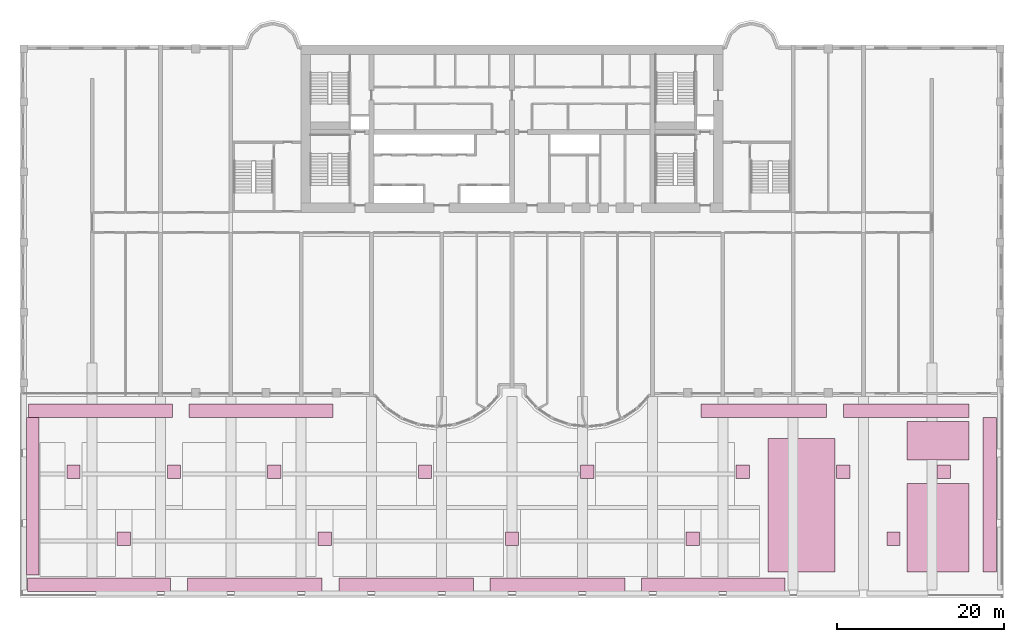
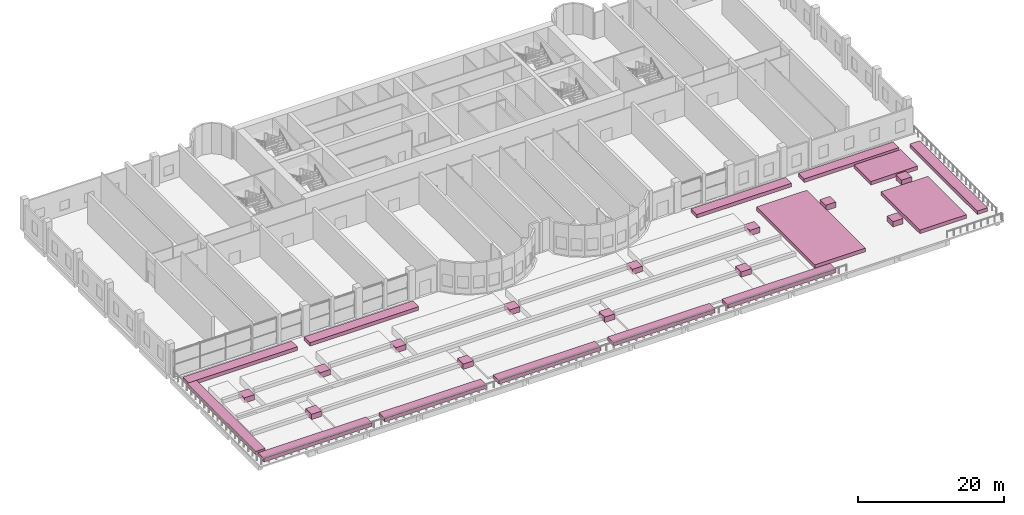
# One storey, part 20 of 20: 27 furniture elements.
"""IFC4 building model written with IfcOpenShell, lengths in metres."""

from ifc_helpers import new_model, si_unit, direction, frame, origin, origin_2d, place, context, subcontext, project, spatial, rectangle, extrude, source, transform, mapped, material, type_object, element, save


model = new_model("IFC4")

# Units and contexts
model_context = context("Model", 3, precision=1e-05, world=origin(), true_north=direction((0.0, 1.0)))
body_context = subcontext(model_context, "Body", "Model", "MODEL_VIEW")
ifc_project = project(units=[si_unit("LENGTHUNIT", "METRE"), si_unit("AREAUNIT", "SQUARE_METRE"), si_unit("VOLUMEUNIT", "CUBIC_METRE"), si_unit("PLANEANGLEUNIT", "RADIAN"), si_unit("MASSUNIT", "GRAM", prefix="KILO")], contexts=[model_context])

# Site, building, storey
site_placement = place(None, origin())
site = spatial("IfcSite", under=ifc_project, at=site_placement, CompositionType="ELEMENT")
building_placement = place(site_placement, origin())
building = spatial("IfcBuilding", under=site, at=building_placement, Name="Vanashikhar Sky Hotel", CompositionType="ELEMENT")
storey_placement = place(building_placement, frame((0.0, 0.0, 6.0)))
storey = spatial("IfcBuildingStorey", under=building, at=storey_placement, Name="L01", CompositionType="ELEMENT", Elevation=6.0)

# Furniture
ifc_material_1 = material(Name="Planting soil and trees")
furniture_type_1 = type_object("IfcFurnitureType", Name="Tree planter 1600 x 1600", AssemblyPlace="NOTDEFINED", PredefinedType="USERDEFINED", material=ifc_material_1)
shared_shape_1 = source(origin(), body_context, "Body", "SweptSolid", [
    extrude(rectangle(XDim=1.60009765625, YDim=1.60009765625, at=origin_2d()), origin(), (0.0, 0.0, 1.0), 0.89990234375),
])
for number, where, z_axis, x_axis, name in (
    (1, (-2.0, -9.0, 0.0), (0.0, 0.0, 1.0), (1.0, 0.0, 0.0), "PLANTER with tree"),
    (2, (10.0, -9.0, 0.0), (0.0, 0.0, 1.0), (1.0, 0.0, 0.0), "PLANTER with tree"),
    (3, (22.0, -9.0, 0.0), (0.0, 0.0, 1.0), (1.0, 0.0, 0.0), "PLANTER with tree"),
    (4, (40.0, -9.0, 0.0), (0.0, 0.0, 1.0), (1.0, 0.0, 0.0), "PLANTER with tree"),
    (5, (59.39990234375, -9.0, 0.0), (0.0, 0.0, 1.0), (1.0, 0.0, 0.0), "PLANTER with tree"),
    (6, (78.0, -9.0, 0.0), (0.0, 0.0, 1.0), (1.0, 0.0, 0.0), "PLANTER with tree"),
    (7, (90.0, -9.0, 0.0), (0.0, 0.0, 1.0), (1.0, 0.0, 0.0), "PLANTER with tree"),
    (8, (102.0, -9.0, 0.0), (0.0, 0.0, 1.0), (1.0, 0.0, 0.0), "PLANTER with tree"),
    (9, (4.0, -17.0, 0.0), (0.0, 0.0, 1.0), (1.0, 0.0, 0.0), "PLANTER with tree"),
    (10, (28.0, -17.0, 0.0), (0.0, 0.0, 1.0), (1.0, 0.0, 0.0), "PLANTER with tree"),
    (11, (50.39990234375, -17.0, 0.0), (0.0, 0.0, 1.0), (1.0, 0.0, 0.0), "PLANTER with tree"),
    (12, (72.0, -17.0, 0.0), (0.0, 0.0, 1.0), (1.0, 0.0, 0.0), "PLANTER with tree"),
    (13, (96.0, -17.0, 0.0), (0.0, 0.0, 1.0), (1.0, 0.0, 0.0), "PLANTER with tree"),
):
    element("IfcFurniture", number, at=place(storey_placement, frame(where, z_axis=z_axis, x_axis=x_axis)), inside=storey, type_object=furniture_type_1, Name=name, ObjectType="PLANTER", PredefinedType="USERDEFINED", context=body_context, shape_type="MappedRepresentation", body=[
        mapped(shared_shape_1, transform((0.0, 0.0, 0.0), scale=1.0)),
    ])
ifc_material_2 = material(Name="Planting soil")
furniture_type_2 = type_object("IfcFurnitureType", Name="Planting bed 600", AssemblyPlace="NOTDEFINED", PredefinedType="USERDEFINED", material=ifc_material_2)
shared_shape_2 = source(origin(), body_context, "Body", "SweptSolid", [
    extrude(rectangle(XDim=17.10009765625, YDim=1.60009765625, at=origin_2d()), origin(), (0.0, 0.0, 1.0), 0.60009765625),
])
for number, where, z_axis, x_axis, name in (
    (14, (1.050048828125, -22.5, 0.0), (0.0, 0.0, 1.0), (1.0, 0.0, 0.0), "PLANTER bed"),
    (15, (74.449951171875, -22.5, 0.0), (0.0, 0.0, 1.0), (1.0, 0.0, 0.0), "PLANTER bed"),
):
    element("IfcFurniture", number, at=place(storey_placement, frame(where, z_axis=z_axis, x_axis=x_axis)), inside=storey, type_object=furniture_type_2, Name=name, ObjectType="PLANTER", PredefinedType="USERDEFINED", context=body_context, shape_type="MappedRepresentation", body=[
        mapped(shared_shape_2, transform((0.0, 0.0, 0.0), scale=1.0)),
    ])
shared_shape_3 = source(origin(), body_context, "Body", "SweptSolid", [
    extrude(rectangle(XDim=16.10009765625, YDim=1.60009765625, at=origin_2d()), origin(), (0.0, 0.0, 1.0), 0.60009765625),
])
for number, where, z_axis, x_axis, name in (
    (16, (19.64990234375, -22.5, 0.0), (0.0, 0.0, 1.0), (1.0, 0.0, 0.0), "PLANTER bed"),
    (17, (37.75, -22.5, 0.0), (0.0, 0.0, 1.0), (1.0, 0.0, 0.0), "PLANTER bed"),
    (18, (55.85009765625, -22.5, 0.0), (0.0, 0.0, 1.0), (1.0, 0.0, 0.0), "PLANTER bed"),
):
    element("IfcFurniture", number, at=place(storey_placement, frame(where, z_axis=z_axis, x_axis=x_axis)), inside=storey, type_object=furniture_type_2, Name=name, ObjectType="PLANTER", PredefinedType="USERDEFINED", context=body_context, shape_type="MappedRepresentation", body=[
        mapped(shared_shape_3, transform((0.0, 0.0, 0.0), scale=1.0)),
    ])
shared_shape_4 = source(origin(), body_context, "Body", "SweptSolid", [
    extrude(rectangle(XDim=1.5, YDim=18.800048828125, at=origin_2d()), origin(), (0.0, 0.0, 1.0), 0.60009765625),
])
furniture_1_placement = place(storey_placement, frame((-6.89990234375, -11.89990234375, 0.0), z_axis=(0.0, 0.0, 1.0), x_axis=(1.0, 0.0, 0.0)))
element("IfcFurniture", 19, at=furniture_1_placement, inside=storey, type_object=furniture_type_2, Name="PLANTER bed", ObjectType="PLANTER", PredefinedType="USERDEFINED", context=body_context, shape_type="MappedRepresentation", body=[
    mapped(shared_shape_4, transform((0.0, 0.0, 0.0), scale=1.0)),
])
shared_shape_5 = source(origin(), body_context, "Body", "SweptSolid", [
    extrude(rectangle(XDim=17.199951171875, YDim=1.60009765625, at=origin_2d()), origin(), (0.0, 0.0, 1.0), 0.60009765625),
])
for number, where, z_axis, x_axis, name in (
    (20, (1.199951171875, -1.699951171875, 0.0), (0.0, 0.0, 1.0), (1.0, 0.0, 0.0), "PLANTER bed"),
    (21, (20.39990234375, -1.699951171875, 0.0), (0.0, 0.0, 1.0), (1.0, 0.0, 0.0), "PLANTER bed"),
):
    element("IfcFurniture", number, at=place(storey_placement, frame(where, z_axis=z_axis, x_axis=x_axis)), inside=storey, type_object=furniture_type_2, Name=name, ObjectType="PLANTER", PredefinedType="USERDEFINED", context=body_context, shape_type="MappedRepresentation", body=[
        mapped(shared_shape_5, transform((0.0, 0.0, 0.0), scale=1.0)),
    ])
shared_shape_6 = source(origin(), body_context, "Body", "SweptSolid", [
    extrude(rectangle(XDim=15.0, YDim=1.60009765625, at=origin_2d()), origin(), (0.0, 0.0, 1.0), 0.60009765625),
])
for number, where, z_axis, x_axis, name in (
    (22, (80.5, -1.699951171875, 0.0), (0.0, 0.0, 1.0), (1.0, 0.0, 0.0), "PLANTER bed"),
    (23, (97.5, -1.699951171875, 0.0), (0.0, 0.0, 1.0), (1.0, 0.0, 0.0), "PLANTER bed"),
):
    element("IfcFurniture", number, at=place(storey_placement, frame(where, z_axis=z_axis, x_axis=x_axis)), inside=storey, type_object=furniture_type_2, Name=name, ObjectType="PLANTER", PredefinedType="USERDEFINED", context=body_context, shape_type="MappedRepresentation", body=[
        mapped(shared_shape_6, transform((0.0, 0.0, 0.0), scale=1.0)),
    ])
shared_shape_7 = source(origin(), body_context, "Body", "SweptSolid", [
    extrude(rectangle(XDim=1.60009765625, YDim=18.5, at=origin_2d()), origin(), (0.0, 0.0, 1.0), 0.60009765625),
])
furniture_2_placement = place(storey_placement, frame((107.5, -11.75, 0.0), z_axis=(0.0, 0.0, 1.0), x_axis=(1.0, 0.0, 0.0)))
element("IfcFurniture", 24, at=furniture_2_placement, inside=storey, type_object=furniture_type_2, Name="PLANTER bed", ObjectType="PLANTER", PredefinedType="USERDEFINED", context=body_context, shape_type="MappedRepresentation", body=[
    mapped(shared_shape_7, transform((0.0, 0.0, 0.0), scale=1.0)),
])
shared_shape_8 = source(origin(), body_context, "Body", "SweptSolid", [
    extrude(rectangle(XDim=8.0, YDim=16.0, at=origin_2d()), origin(), (0.0, 0.0, 1.0), 0.60009765625),
])
furniture_3_placement = place(storey_placement, frame((85.0, -13.0, 0.0), z_axis=(0.0, 0.0, 1.0), x_axis=(1.0, 0.0, 0.0)))
element("IfcFurniture", 25, at=furniture_3_placement, inside=storey, type_object=furniture_type_2, Name="PLANTER bed", ObjectType="PLANTER", PredefinedType="USERDEFINED", context=body_context, shape_type="MappedRepresentation", body=[
    mapped(shared_shape_8, transform((0.0, 0.0, 0.0), scale=1.0)),
])
shared_shape_9 = source(origin(), body_context, "Body", "SweptSolid", [
    extrude(rectangle(XDim=7.39990234375, YDim=10.60009765625, at=origin_2d()), origin(), (0.0, 0.0, 1.0), 0.60009765625),
])
furniture_4_placement = place(storey_placement, frame((101.300048828125, -15.699951171875, 0.0), z_axis=(0.0, 0.0, 1.0), x_axis=(1.0, 0.0, 0.0)))
element("IfcFurniture", 26, at=furniture_4_placement, inside=storey, type_object=furniture_type_2, Name="PLANTER bed", ObjectType="PLANTER", PredefinedType="USERDEFINED", context=body_context, shape_type="MappedRepresentation", body=[
    mapped(shared_shape_9, transform((0.0, 0.0, 0.0), scale=1.0)),
])
shared_shape_10 = source(origin(), body_context, "Body", "SweptSolid", [
    extrude(rectangle(XDim=7.39990234375, YDim=4.60009765625, at=origin_2d()), origin(), (0.0, 0.0, 1.0), 0.60009765625),
])
furniture_5_placement = place(storey_placement, frame((101.300048828125, -5.300048828125, 0.0), z_axis=(0.0, 0.0, 1.0), x_axis=(1.0, 0.0, 0.0)))
element("IfcFurniture", 27, at=furniture_5_placement, inside=storey, type_object=furniture_type_2, Name="PLANTER bed", ObjectType="PLANTER", PredefinedType="USERDEFINED", context=body_context, shape_type="MappedRepresentation", body=[
    mapped(shared_shape_10, transform((0.0, 0.0, 0.0), scale=1.0)),
])

save(model, "model.ifc")
